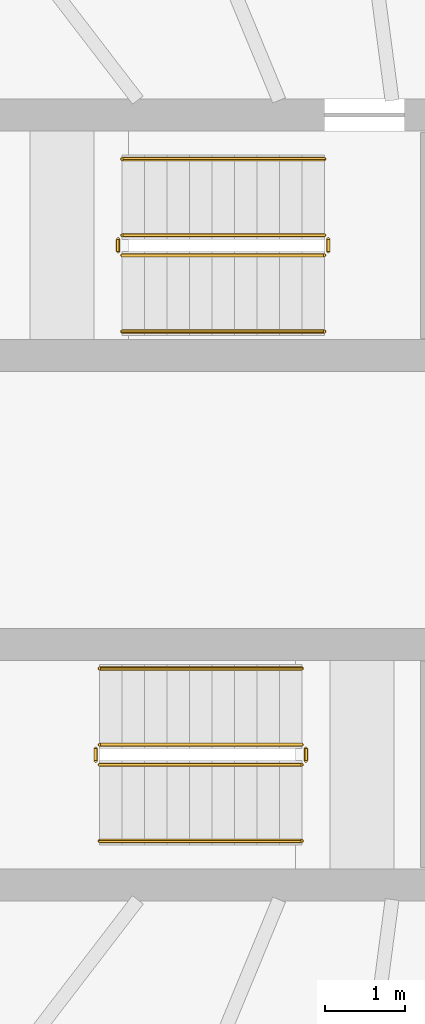
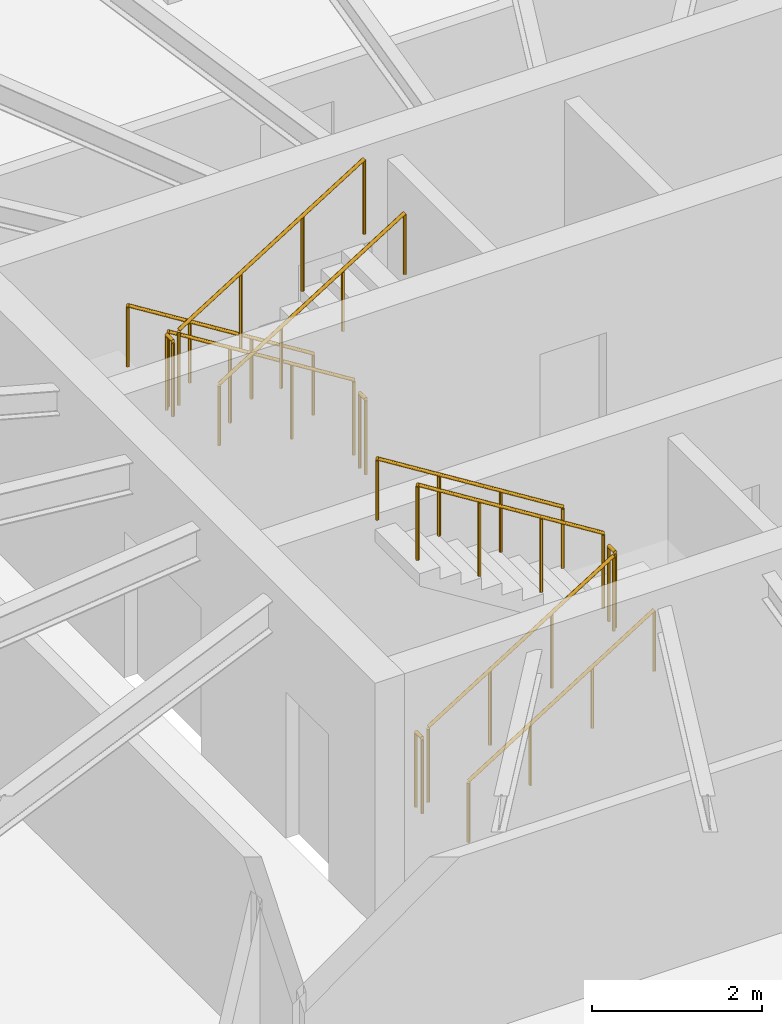
# One storey, part 9 of 9: 12 railings.
"""IFC4 building model written with IfcOpenShell, lengths in metres."""

from ifc_helpers import new_model, si_unit, direction, frame, origin, origin_2d, place, context, subcontext, project, spatial, circle, extrude, material, type_object, element, save


model = new_model("IFC4")

# Units and contexts
model_context = context("Model", 3, precision=1e-05, world=origin(), true_north=direction((0.0, 1.0)))
body_context = subcontext(model_context, "Body", "Model", "MODEL_VIEW")
ifc_project = project(units=[si_unit("LENGTHUNIT", "METRE"), si_unit("AREAUNIT", "SQUARE_METRE"), si_unit("VOLUMEUNIT", "CUBIC_METRE"), si_unit("PLANEANGLEUNIT", "RADIAN"), si_unit("MASSUNIT", "GRAM", prefix="KILO")], contexts=[model_context])

# Site, building, storey
site_placement = place(None, origin())
site = spatial("IfcSite", under=ifc_project, at=site_placement, CompositionType="ELEMENT")
building_placement = place(site_placement, origin())
building = spatial("IfcBuilding", under=site, at=building_placement, Name="Spindrift Exchange Tower", CompositionType="ELEMENT")
storey_placement = place(building_placement, frame((0.0, 0.0, 276.60009765625)))
storey = spatial("IfcBuildingStorey", under=building, at=storey_placement, Name="L68", CompositionType="ELEMENT", Elevation=276.60009765625)

# Railings
ifc_material_1 = material(Name="Steel balustrade", Category="steel")
railing_type_1 = type_object("IfcRailingType", Name="RL-STAIR-GUARD", PredefinedType="GUARDRAIL", material=ifc_material_1)
railing_1_placement = place(storey_placement, frame((50.5, 51.300048828125, 0.1748046875)))
element("IfcRailing", 1, at=railing_1_placement, inside=storey, type_object=railing_type_1, Name="L68 ST3 stair guard 1", PredefinedType="GUARDRAIL", context=body_context, shape_type="SweptSolid", body=[
    extrude(circle(Radius=0.02392578125, at=origin_2d()), frame((0.0, 0.0, 1.076171875), z_axis=(-0.847970611238, 0.0, 0.530043245855), x_axis=(0.0, -1.0, 0.0)), (0.0, 0.0, 1.0), 2.971923828125),
    extrude(circle(Radius=0.02099609375, at=origin_2d()), origin(), (0.0, 0.0, 1.0), 1.052001953125),
    extrude(circle(Radius=0.02099609375, at=origin_2d()), frame((-0.840087890625, 0.0, 0.525146484375)), (0.0, 0.0, 1.0), 1.052001953125),
    extrude(circle(Radius=0.02099609375, at=origin_2d()), frame((-1.679931640625, 0.0, 1.050048828125)), (0.0, 0.0, 1.0), 1.052001953125),
    extrude(circle(Radius=0.02099609375, at=origin_2d()), frame((-2.52001953125, 0.0, 1.5751953125)), (0.0, 0.0, 1.0), 1.052001953125),
])
railing_2_placement = place(storey_placement, frame((47.929931640625, 51.25, 1.75)))
element("IfcRailing", 2, at=railing_2_placement, inside=storey, type_object=railing_type_1, Name="L68 ST3 stair guard 2", PredefinedType="GUARDRAIL", context=body_context, shape_type="SweptSolid", body=[
    extrude(circle(Radius=0.02392578125, at=origin_2d()), frame((0.0, 0.0, 1.076171875), z_axis=(0.0, -1.0, 0.0), x_axis=(1.0, 0.0, 0.0)), (0.0, 0.0, 1.0), 0.14990234375),
    extrude(circle(Radius=0.02099609375, at=origin_2d()), origin(), (0.0, 0.0, 1.0), 1.052001953125),
    extrude(circle(Radius=0.02099609375, at=origin_2d()), frame((0.0, -0.14990234375, 0.0)), (0.0, 0.0, 1.0), 1.052001953125),
])
railing_3_placement = place(storey_placement, frame((47.97998046875, 51.050048828125, 1.9248046875)))
element("IfcRailing", 3, at=railing_3_placement, inside=storey, type_object=railing_type_1, Name="L68 ST3 stair guard 3", PredefinedType="GUARDRAIL", context=body_context, shape_type="SweptSolid", body=[
    extrude(circle(Radius=0.02392578125, at=origin_2d()), frame((0.0, 0.0, 1.076171875), z_axis=(0.847970611238, 0.0, 0.530043245855), x_axis=(0.0, 1.0, 0.0)), (0.0, 0.0, 1.0), 2.971923828125),
    extrude(circle(Radius=0.02099609375, at=origin_2d()), origin(), (0.0, 0.0, 1.0), 1.052001953125),
    extrude(circle(Radius=0.02099609375, at=origin_2d()), frame((0.840087890625, 0.0, 0.525146484375)), (0.0, 0.0, 1.0), 1.052001953125),
    extrude(circle(Radius=0.02099609375, at=origin_2d()), frame((1.679931640625, 0.0, 1.050048828125)), (0.0, 0.0, 1.0), 1.052001953125),
    extrude(circle(Radius=0.02099609375, at=origin_2d()), frame((2.52001953125, 0.0, 1.5751953125)), (0.0, 0.0, 1.0), 1.052001953125),
])
railing_4_placement = place(storey_placement, frame((50.550048828125, 51.25, 0.0)))
element("IfcRailing", 4, at=railing_4_placement, inside=storey, type_object=railing_type_1, Name="L68 ST3 stair guard 4", PredefinedType="GUARDRAIL", context=body_context, shape_type="SweptSolid", body=[
    extrude(circle(Radius=0.02392578125, at=origin_2d()), frame((0.0, 0.0, 1.076171875), z_axis=(0.0, -1.0, 0.0), x_axis=(1.0, 0.0, 0.0)), (0.0, 0.0, 1.0), 0.14990234375),
    extrude(circle(Radius=0.02099609375, at=origin_2d()), origin(), (0.0, 0.0, 1.0), 1.052001953125),
    extrude(circle(Radius=0.02099609375, at=origin_2d()), frame((0.0, -0.14990234375, 0.0)), (0.0, 0.0, 1.0), 1.052001953125),
])
railing_5_placement = place(storey_placement, frame((47.699951171875, 44.699951171875, 0.1748046875)))
element("IfcRailing", 5, at=railing_5_placement, inside=storey, type_object=railing_type_1, Name="L68 ST4 stair guard 1", PredefinedType="GUARDRAIL", context=body_context, shape_type="SweptSolid", body=[
    extrude(circle(Radius=0.02392578125, at=origin_2d()), frame((0.0, 0.0, 1.076171875), z_axis=(0.847970611238, 0.0, 0.530043245855), x_axis=(0.0, 1.0, 0.0)), (0.0, 0.0, 1.0), 2.971923828125),
    extrude(circle(Radius=0.02099609375, at=origin_2d()), origin(), (0.0, 0.0, 1.0), 1.052001953125),
    extrude(circle(Radius=0.02099609375, at=origin_2d()), frame((0.840087890625, 0.0, 0.525146484375)), (0.0, 0.0, 1.0), 1.052001953125),
    extrude(circle(Radius=0.02099609375, at=origin_2d()), frame((1.679931640625, 0.0, 1.050048828125)), (0.0, 0.0, 1.0), 1.052001953125),
    extrude(circle(Radius=0.02099609375, at=origin_2d()), frame((2.52001953125, 0.0, 1.5751953125)), (0.0, 0.0, 1.0), 1.052001953125),
])
railing_6_placement = place(storey_placement, frame((50.27001953125, 44.75, 1.75)))
element("IfcRailing", 6, at=railing_6_placement, inside=storey, type_object=railing_type_1, Name="L68 ST4 stair guard 2", PredefinedType="GUARDRAIL", context=body_context, shape_type="SweptSolid", body=[
    extrude(circle(Radius=0.02392578125, at=origin_2d()), frame((0.0, 0.0, 1.076171875), z_axis=(0.0, 1.0, 0.0), x_axis=(-1.0, 0.0, 0.0)), (0.0, 0.0, 1.0), 0.14990234375),
    extrude(circle(Radius=0.02099609375, at=origin_2d()), origin(), (0.0, 0.0, 1.0), 1.052001953125),
    extrude(circle(Radius=0.02099609375, at=origin_2d()), frame((0.0, 0.14990234375, 0.0)), (0.0, 0.0, 1.0), 1.052001953125),
])
railing_7_placement = place(storey_placement, frame((50.219970703125, 44.949951171875, 1.9248046875)))
element("IfcRailing", 7, at=railing_7_placement, inside=storey, type_object=railing_type_1, Name="L68 ST4 stair guard 3", PredefinedType="GUARDRAIL", context=body_context, shape_type="SweptSolid", body=[
    extrude(circle(Radius=0.02392578125, at=origin_2d()), frame((0.0, 0.0, 1.076171875), z_axis=(-0.847970611238, 0.0, 0.530043245855), x_axis=(0.0, -1.0, 0.0)), (0.0, 0.0, 1.0), 2.971923828125),
    extrude(circle(Radius=0.02099609375, at=origin_2d()), origin(), (0.0, 0.0, 1.0), 1.052001953125),
    extrude(circle(Radius=0.02099609375, at=origin_2d()), frame((-0.840087890625, 0.0, 0.525146484375)), (0.0, 0.0, 1.0), 1.052001953125),
    extrude(circle(Radius=0.02099609375, at=origin_2d()), frame((-1.679931640625, 0.0, 1.050048828125)), (0.0, 0.0, 1.0), 1.052001953125),
    extrude(circle(Radius=0.02099609375, at=origin_2d()), frame((-2.52001953125, 0.0, 1.5751953125)), (0.0, 0.0, 1.0), 1.052001953125),
])
railing_8_placement = place(storey_placement, frame((47.64990234375, 44.75, 0.0)))
element("IfcRailing", 8, at=railing_8_placement, inside=storey, type_object=railing_type_1, Name="L68 ST4 stair guard 4", PredefinedType="GUARDRAIL", context=body_context, shape_type="SweptSolid", body=[
    extrude(circle(Radius=0.02392578125, at=origin_2d()), frame((0.0, 0.0, 1.076171875), z_axis=(0.0, 1.0, 0.0), x_axis=(-1.0, 0.0, 0.0)), (0.0, 0.0, 1.0), 0.14990234375),
    extrude(circle(Radius=0.02099609375, at=origin_2d()), origin(), (0.0, 0.0, 1.0), 1.052001953125),
    extrude(circle(Radius=0.02099609375, at=origin_2d()), frame((0.0, 0.14990234375, 0.0)), (0.0, 0.0, 1.0), 1.052001953125),
])
ifc_material_2 = material(Name="Steel tubular handrail", Category="steel")
railing_type_2 = type_object("IfcRailingType", Name="RL-STAIR-HAND", PredefinedType="HANDRAIL", material=ifc_material_2)
railing_9_placement = place(storey_placement, frame((50.5, 52.25, 0.1748046875)))
element("IfcRailing", 9, at=railing_9_placement, inside=storey, type_object=railing_type_2, Name="L68 ST3 stair handrail 1", PredefinedType="HANDRAIL", context=body_context, shape_type="SweptSolid", body=[
    extrude(circle(Radius=0.02392578125, at=origin_2d()), frame((0.0, 0.0, 0.8759765625), z_axis=(-0.847970611238, 0.0, 0.530043245855), x_axis=(0.0, -1.0, 0.0)), (0.0, 0.0, 1.0), 2.971923828125),
    extrude(circle(Radius=0.02099609375, at=origin_2d()), origin(), (0.0, 0.0, 1.0), 0.851806640625),
    extrude(circle(Radius=0.02099609375, at=origin_2d()), frame((-0.840087890625, 0.0, 0.525146484375)), (0.0, 0.0, 1.0), 0.851806640625),
    extrude(circle(Radius=0.02099609375, at=origin_2d()), frame((-1.679931640625, 0.0, 1.050048828125)), (0.0, 0.0, 1.0), 0.851806640625),
    extrude(circle(Radius=0.02099609375, at=origin_2d()), frame((-2.52001953125, 0.0, 1.5751953125)), (0.0, 0.0, 1.0), 0.851806640625),
])
for number, where, name in (
    (10, (47.97998046875, 50.10009765625, 1.9248046875), "L68 ST3 stair handrail 2"),
    (11, (47.699951171875, 43.75, 0.1748046875), "L68 ST4 stair handrail 1"),
):
    element("IfcRailing", number, at=place(storey_placement, frame(where)), inside=storey, type_object=railing_type_2, Name=name, PredefinedType="HANDRAIL", context=body_context, shape_type="SweptSolid", body=[
        extrude(circle(Radius=0.02392578125, at=origin_2d()), frame((0.0, 0.0, 0.8759765625), z_axis=(0.847970611238, 0.0, 0.530043245855), x_axis=(0.0, 1.0, 0.0)), (0.0, 0.0, 1.0), 2.971923828125),
        extrude(circle(Radius=0.02099609375, at=origin_2d()), origin(), (0.0, 0.0, 1.0), 0.851806640625),
        extrude(circle(Radius=0.02099609375, at=origin_2d()), frame((0.840087890625, 0.0, 0.525146484375)), (0.0, 0.0, 1.0), 0.851806640625),
        extrude(circle(Radius=0.02099609375, at=origin_2d()), frame((1.679931640625, 0.0, 1.050048828125)), (0.0, 0.0, 1.0), 0.851806640625),
        extrude(circle(Radius=0.02099609375, at=origin_2d()), frame((2.52001953125, 0.0, 1.5751953125)), (0.0, 0.0, 1.0), 0.851806640625),
    ])
railing_10_placement = place(storey_placement, frame((50.219970703125, 45.89990234375, 1.9248046875)))
element("IfcRailing", 12, at=railing_10_placement, inside=storey, type_object=railing_type_2, Name="L68 ST4 stair handrail 2", PredefinedType="HANDRAIL", context=body_context, shape_type="SweptSolid", body=[
    extrude(circle(Radius=0.02392578125, at=origin_2d()), frame((0.0, 0.0, 0.8759765625), z_axis=(-0.847970611238, 0.0, 0.530043245855), x_axis=(0.0, -1.0, 0.0)), (0.0, 0.0, 1.0), 2.971923828125),
    extrude(circle(Radius=0.02099609375, at=origin_2d()), origin(), (0.0, 0.0, 1.0), 0.851806640625),
    extrude(circle(Radius=0.02099609375, at=origin_2d()), frame((-0.840087890625, 0.0, 0.525146484375)), (0.0, 0.0, 1.0), 0.851806640625),
    extrude(circle(Radius=0.02099609375, at=origin_2d()), frame((-1.679931640625, 0.0, 1.050048828125)), (0.0, 0.0, 1.0), 0.851806640625),
    extrude(circle(Radius=0.02099609375, at=origin_2d()), frame((-2.52001953125, 0.0, 1.5751953125)), (0.0, 0.0, 1.0), 0.851806640625),
])

save(model, "model.ifc")
